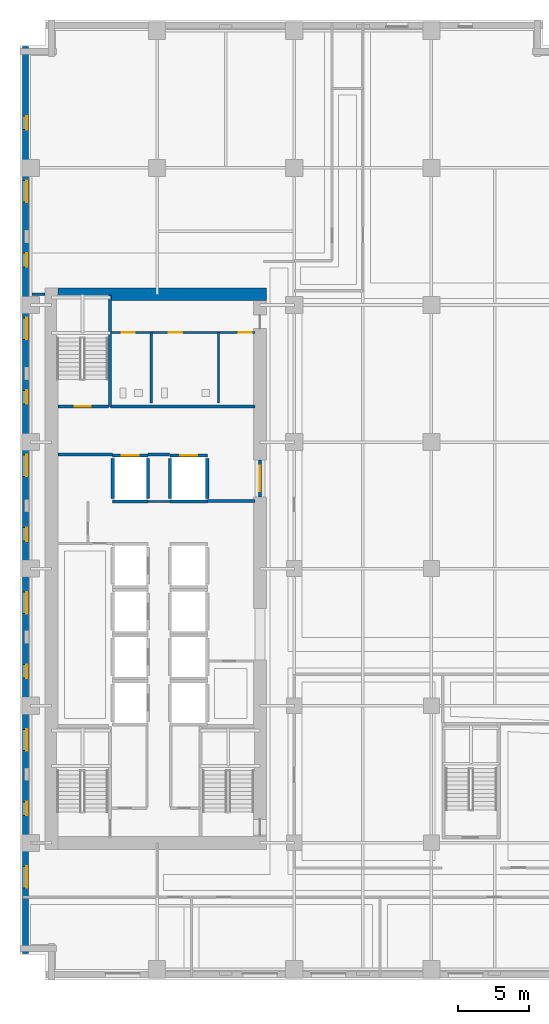
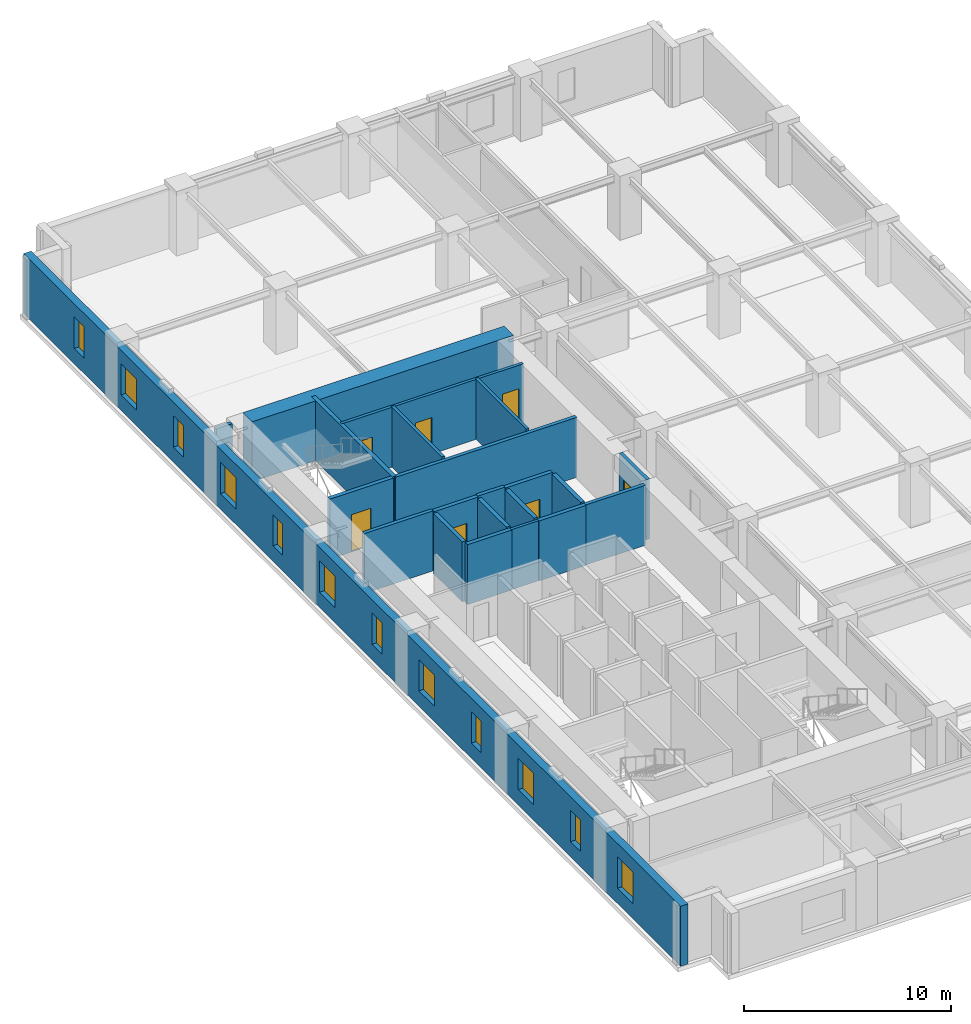
# One storey, part 6 of 13: 22 walls, 12 windows, 7 doors, 19 openings.
"""IFC4 building model written with IfcOpenShell, lengths in metres."""

from ifc_helpers import new_model, si_unit, direction, frame, frame_2d, origin, place, context, subcontext, project, spatial, rectangle, extrude, material, layer, layer_set, type_object, element, fill, save


model = new_model("IFC4")

# Units and contexts
model_context = context("Model", 3, precision=1e-05, world=origin(), true_north=direction((0.0, 1.0)))
body_context = subcontext(model_context, "Body", "Model", "MODEL_VIEW")
ifc_project = project(units=[si_unit("LENGTHUNIT", "METRE"), si_unit("AREAUNIT", "SQUARE_METRE"), si_unit("VOLUMEUNIT", "CUBIC_METRE"), si_unit("PLANEANGLEUNIT", "RADIAN"), si_unit("MASSUNIT", "GRAM", prefix="KILO")], contexts=[model_context])

# Site, building, storey
site_placement = place(None, origin())
site = spatial("IfcSite", under=ifc_project, at=site_placement, CompositionType="ELEMENT")
building_placement = place(site_placement, origin())
building = spatial("IfcBuilding", under=site, at=building_placement, Name="Norrvale University Quadrangle", CompositionType="ELEMENT")
storey_placement = place(building_placement, frame((0.0, 0.0, 35.60009765625)))
storey = spatial("IfcBuildingStorey", under=building, at=storey_placement, Name="L08", CompositionType="ELEMENT", Elevation=35.60009765625)

# Wall, openings, windows
ifc_material_1 = material(Name="Buff Norman Clay Brick Masonry", Category="masonry")
ifc_layer_1 = layer(ifc_material_1, 0.419921875, Name="Buff Norman Clay Brick Masonry")
ifc_layer_set_1 = layer_set([ifc_layer_1], Name="Buff Norman Clay Brick Masonry")
wall_type_1 = type_object("IfcWallType", Name="Wall Buff Brick 420", PredefinedType="SOLIDWALL", material=ifc_layer_set_1)
wall_1_placement = place(storey_placement, frame((0.389892578125, 65.360107421875, 0.0), z_axis=(0.0, 0.0, 1.0), x_axis=(0.0, -1.0, 0.0)))
wall_1 = element("IfcWall", 1, at=wall_1_placement, inside=storey, type_object=wall_type_1, Name="Exterior Brick Facade Wall L08-14.1", PredefinedType="SOLIDWALL", context=body_context, shape_type="SweptSolid", body=[
    extrude(rectangle(XDim=63.52001953125, YDim=0.419921875, at=frame_2d((31.760009765625, 0.0))), origin(), (0.0, 0.0, 1.0), 3.539794921875),
])
opening_1_placement = place(wall_1_placement, frame((4.885009765625, 0.0, 0.89990234375)))
opening_1 = element("IfcOpeningElement", 2, at=opening_1_placement, cuts=wall_1, Name="Opening W04", PredefinedType="OPENING", context=body_context, shape_type="SweptSolid", body=[
    extrude(rectangle(XDim=0.949951171875, YDim=1.85009765625, at=frame_2d((0.47509765625, 0.925048828125))), frame((0.0, 0.221923828125, 0.0), z_axis=(0.0, -1.0, 0.0), x_axis=(1.0, 0.0, 0.0)), (0.0, 0.0, 1.0), 0.44384765625),
])
opening_2_placement = place(wall_1_placement, frame((9.409912109375, 0.0, 0.89990234375)))
opening_2 = element("IfcOpeningElement", 3, at=opening_2_placement, cuts=wall_1, Name="Opening W03", PredefinedType="OPENING", context=body_context, shape_type="SweptSolid", body=[
    extrude(rectangle(XDim=1.5, YDim=1.85009765625, at=frame_2d((0.75, 0.925048828125))), frame((0.0, 0.221923828125, 0.0), z_axis=(0.0, -1.0, 0.0), x_axis=(1.0, 0.0, 0.0)), (0.0, 0.0, 1.0), 0.44384765625),
])
opening_3_placement = place(wall_1_placement, frame((14.485107421875, 0.0, 0.89990234375)))
opening_3 = element("IfcOpeningElement", 4, at=opening_3_placement, cuts=wall_1, Name="Opening W04", PredefinedType="OPENING", context=body_context, shape_type="SweptSolid", body=[
    extrude(rectangle(XDim=0.949951171875, YDim=1.85009765625, at=frame_2d((0.47509765625, 0.925048828125))), frame((0.0, 0.221923828125, 0.0), z_axis=(0.0, -1.0, 0.0), x_axis=(1.0, 0.0, 0.0)), (0.0, 0.0, 1.0), 0.44384765625),
])
opening_4_placement = place(wall_1_placement, frame((19.010009765625, 0.0, 0.89990234375)))
opening_4 = element("IfcOpeningElement", 5, at=opening_4_placement, cuts=wall_1, Name="Opening W03", PredefinedType="OPENING", context=body_context, shape_type="SweptSolid", body=[
    extrude(rectangle(XDim=1.5, YDim=1.85009765625, at=frame_2d((0.75, 0.925048828125))), frame((0.0, 0.221923828125, 0.0), z_axis=(0.0, -1.0, 0.0), x_axis=(1.0, 0.0, 0.0)), (0.0, 0.0, 1.0), 0.44384765625),
])
opening_5_placement = place(wall_1_placement, frame((24.0849609375, 0.0, 0.89990234375)))
opening_5 = element("IfcOpeningElement", 6, at=opening_5_placement, cuts=wall_1, Name="Opening W04", PredefinedType="OPENING", context=body_context, shape_type="SweptSolid", body=[
    extrude(rectangle(XDim=0.949951171875, YDim=1.85009765625, at=frame_2d((0.47509765625, 0.925048828125))), frame((0.0, 0.221923828125, 0.0), z_axis=(0.0, -1.0, 0.0), x_axis=(1.0, 0.0, 0.0)), (0.0, 0.0, 1.0), 0.44384765625),
])
opening_6_placement = place(wall_1_placement, frame((28.610107421875, 0.0, 0.89990234375)))
opening_6 = element("IfcOpeningElement", 7, at=opening_6_placement, cuts=wall_1, Name="Opening W03", PredefinedType="OPENING", context=body_context, shape_type="SweptSolid", body=[
    extrude(rectangle(XDim=1.5, YDim=1.85009765625, at=frame_2d((0.75, 0.925048828125))), frame((0.0, 0.221923828125, 0.0), z_axis=(0.0, -1.0, 0.0), x_axis=(1.0, 0.0, 0.0)), (0.0, 0.0, 1.0), 0.44384765625),
])
opening_7_placement = place(wall_1_placement, frame((33.68505859375, 0.0, 0.89990234375)))
opening_7 = element("IfcOpeningElement", 8, at=opening_7_placement, cuts=wall_1, Name="Opening W04", PredefinedType="OPENING", context=body_context, shape_type="SweptSolid", body=[
    extrude(rectangle(XDim=0.949951171875, YDim=1.85009765625, at=frame_2d((0.47509765625, 0.925048828125))), frame((0.0, 0.221923828125, 0.0), z_axis=(0.0, -1.0, 0.0), x_axis=(1.0, 0.0, 0.0)), (0.0, 0.0, 1.0), 0.44384765625),
])
opening_8_placement = place(wall_1_placement, frame((38.2099609375, 0.0, 0.89990234375)))
opening_8 = element("IfcOpeningElement", 9, at=opening_8_placement, cuts=wall_1, Name="Opening W03", PredefinedType="OPENING", context=body_context, shape_type="SweptSolid", body=[
    extrude(rectangle(XDim=1.5, YDim=1.85009765625, at=frame_2d((0.75, 0.925048828125))), frame((0.0, 0.221923828125, 0.0), z_axis=(0.0, -1.0, 0.0), x_axis=(1.0, 0.0, 0.0)), (0.0, 0.0, 1.0), 0.44384765625),
])
opening_9_placement = place(wall_1_placement, frame((43.284912109375, 0.0, 0.89990234375)))
opening_9 = element("IfcOpeningElement", 10, at=opening_9_placement, cuts=wall_1, Name="Opening W04", PredefinedType="OPENING", context=body_context, shape_type="SweptSolid", body=[
    extrude(rectangle(XDim=0.949951171875, YDim=1.85009765625, at=frame_2d((0.47509765625, 0.925048828125))), frame((0.0, 0.221923828125, 0.0), z_axis=(0.0, -1.0, 0.0), x_axis=(1.0, 0.0, 0.0)), (0.0, 0.0, 1.0), 0.44384765625),
])
opening_10_placement = place(wall_1_placement, frame((47.81005859375, 0.0, 0.89990234375)))
opening_10 = element("IfcOpeningElement", 11, at=opening_10_placement, cuts=wall_1, Name="Opening W03", PredefinedType="OPENING", context=body_context, shape_type="SweptSolid", body=[
    extrude(rectangle(XDim=1.5, YDim=1.85009765625, at=frame_2d((0.75, 0.925048828125))), frame((0.0, 0.221923828125, 0.0), z_axis=(0.0, -1.0, 0.0), x_axis=(1.0, 0.0, 0.0)), (0.0, 0.0, 1.0), 0.44384765625),
])
opening_11_placement = place(wall_1_placement, frame((52.885009765625, 0.0, 0.89990234375)))
opening_11 = element("IfcOpeningElement", 12, at=opening_11_placement, cuts=wall_1, Name="Opening W04", PredefinedType="OPENING", context=body_context, shape_type="SweptSolid", body=[
    extrude(rectangle(XDim=0.949951171875, YDim=1.85009765625, at=frame_2d((0.47509765625, 0.925048828125))), frame((0.0, 0.221923828125, 0.0), z_axis=(0.0, -1.0, 0.0), x_axis=(1.0, 0.0, 0.0)), (0.0, 0.0, 1.0), 0.44384765625),
])
opening_12_placement = place(wall_1_placement, frame((57.409912109375, 0.0, 0.89990234375)))
opening_12 = element("IfcOpeningElement", 13, at=opening_12_placement, cuts=wall_1, Name="Opening W03", PredefinedType="OPENING", context=body_context, shape_type="SweptSolid", body=[
    extrude(rectangle(XDim=1.5, YDim=1.85009765625, at=frame_2d((0.75, 0.925048828125))), frame((0.0, 0.221923828125, 0.0), z_axis=(0.0, -1.0, 0.0), x_axis=(1.0, 0.0, 0.0)), (0.0, 0.0, 1.0), 0.44384765625),
])
ifc_material_2 = material(Name="Triple Low-E Argon Glazing", Category="glass")
window_type_1 = type_object("IfcWindowType", Name="Window Narrow Pier 950x2300", PartitioningType="SINGLE_PANEL", PredefinedType="WINDOW", material=ifc_material_2)
window_1_placement = place(opening_1_placement, origin())
window_1 = element("IfcWindow", 14, at=window_1_placement, inside=storey, type_object=window_type_1, Name="Window Narrow Pier 950x2300 WIN-L08-E14-1-01", OverallHeight=1.85009765625, OverallWidth=0.949951171875, PartitioningType="SINGLE_PANEL", PredefinedType="WINDOW", context=body_context, shape_type="SweptSolid", body=[
    extrude(rectangle(XDim=0.949951171875, YDim=1.85009765625, at=frame_2d((0.47509765625, 0.925048828125))), frame((0.0, 0.110107421875, 0.0), z_axis=(0.0, -1.0, 0.0), x_axis=(1.0, 0.0, 0.0)), (0.0, 0.0, 1.0), 0.06005859375),
])
fill(opening_1, window_1)
window_2_placement = place(opening_3_placement, origin())
window_2 = element("IfcWindow", 15, at=window_2_placement, inside=storey, type_object=window_type_1, Name="Window Narrow Pier 950x2300 WIN-L08-E14-1-03", OverallHeight=1.85009765625, OverallWidth=0.949951171875, PartitioningType="SINGLE_PANEL", PredefinedType="WINDOW", context=body_context, shape_type="SweptSolid", body=[
    extrude(rectangle(XDim=0.949951171875, YDim=1.85009765625, at=frame_2d((0.47509765625, 0.925048828125))), frame((0.0, 0.110107421875, 0.0), z_axis=(0.0, -1.0, 0.0), x_axis=(1.0, 0.0, 0.0)), (0.0, 0.0, 1.0), 0.06005859375),
])
fill(opening_3, window_2)
window_3_placement = place(opening_5_placement, origin())
window_3 = element("IfcWindow", 16, at=window_3_placement, inside=storey, type_object=window_type_1, Name="Window Narrow Pier 950x2300 WIN-L08-E14-1-05", OverallHeight=1.85009765625, OverallWidth=0.949951171875, PartitioningType="SINGLE_PANEL", PredefinedType="WINDOW", context=body_context, shape_type="SweptSolid", body=[
    extrude(rectangle(XDim=0.949951171875, YDim=1.85009765625, at=frame_2d((0.47509765625, 0.925048828125))), frame((0.0, 0.110107421875, 0.0), z_axis=(0.0, -1.0, 0.0), x_axis=(1.0, 0.0, 0.0)), (0.0, 0.0, 1.0), 0.06005859375),
])
fill(opening_5, window_3)
window_4_placement = place(opening_7_placement, origin())
window_4 = element("IfcWindow", 17, at=window_4_placement, inside=storey, type_object=window_type_1, Name="Window Narrow Pier 950x2300 WIN-L08-E14-1-07", OverallHeight=1.85009765625, OverallWidth=0.949951171875, PartitioningType="SINGLE_PANEL", PredefinedType="WINDOW", context=body_context, shape_type="SweptSolid", body=[
    extrude(rectangle(XDim=0.949951171875, YDim=1.85009765625, at=frame_2d((0.47509765625, 0.925048828125))), frame((0.0, 0.110107421875, 0.0), z_axis=(0.0, -1.0, 0.0), x_axis=(1.0, 0.0, 0.0)), (0.0, 0.0, 1.0), 0.06005859375),
])
fill(opening_7, window_4)
window_5_placement = place(opening_9_placement, origin())
window_5 = element("IfcWindow", 18, at=window_5_placement, inside=storey, type_object=window_type_1, Name="Window Narrow Pier 950x2300 WIN-L08-E14-1-09", OverallHeight=1.85009765625, OverallWidth=0.949951171875, PartitioningType="SINGLE_PANEL", PredefinedType="WINDOW", context=body_context, shape_type="SweptSolid", body=[
    extrude(rectangle(XDim=0.949951171875, YDim=1.85009765625, at=frame_2d((0.47509765625, 0.925048828125))), frame((0.0, 0.110107421875, 0.0), z_axis=(0.0, -1.0, 0.0), x_axis=(1.0, 0.0, 0.0)), (0.0, 0.0, 1.0), 0.06005859375),
])
fill(opening_9, window_5)
window_6_placement = place(opening_11_placement, origin())
window_6 = element("IfcWindow", 19, at=window_6_placement, inside=storey, type_object=window_type_1, Name="Window Narrow Pier 950x2300 WIN-L08-E14-1-11", OverallHeight=1.85009765625, OverallWidth=0.949951171875, PartitioningType="SINGLE_PANEL", PredefinedType="WINDOW", context=body_context, shape_type="SweptSolid", body=[
    extrude(rectangle(XDim=0.949951171875, YDim=1.85009765625, at=frame_2d((0.47509765625, 0.925048828125))), frame((0.0, 0.110107421875, 0.0), z_axis=(0.0, -1.0, 0.0), x_axis=(1.0, 0.0, 0.0)), (0.0, 0.0, 1.0), 0.06005859375),
])
fill(opening_11, window_6)
window_type_2 = type_object("IfcWindowType", Name="Window Studio 1500x2300", PartitioningType="DOUBLE_PANEL_VERTICAL", PredefinedType="WINDOW", material=ifc_material_2)
window_7_placement = place(opening_2_placement, origin())
window_7 = element("IfcWindow", 20, at=window_7_placement, inside=storey, type_object=window_type_2, Name="Window Studio 1500x2300 WIN-L08-E14-1-02", OverallHeight=1.85009765625, OverallWidth=1.5, PartitioningType="DOUBLE_PANEL_VERTICAL", PredefinedType="WINDOW", context=body_context, shape_type="SweptSolid", body=[
    extrude(rectangle(XDim=1.5, YDim=1.85009765625, at=frame_2d((0.75, 0.925048828125))), frame((0.0, 0.110107421875, 0.0), z_axis=(0.0, -1.0, 0.0), x_axis=(1.0, 0.0, 0.0)), (0.0, 0.0, 1.0), 0.06005859375),
])
fill(opening_2, window_7)
window_8_placement = place(opening_4_placement, origin())
window_8 = element("IfcWindow", 21, at=window_8_placement, inside=storey, type_object=window_type_2, Name="Window Studio 1500x2300 WIN-L08-E14-1-04", OverallHeight=1.85009765625, OverallWidth=1.5, PartitioningType="DOUBLE_PANEL_VERTICAL", PredefinedType="WINDOW", context=body_context, shape_type="SweptSolid", body=[
    extrude(rectangle(XDim=1.5, YDim=1.85009765625, at=frame_2d((0.75, 0.925048828125))), frame((0.0, 0.110107421875, 0.0), z_axis=(0.0, -1.0, 0.0), x_axis=(1.0, 0.0, 0.0)), (0.0, 0.0, 1.0), 0.06005859375),
])
fill(opening_4, window_8)
window_9_placement = place(opening_6_placement, origin())
window_9 = element("IfcWindow", 22, at=window_9_placement, inside=storey, type_object=window_type_2, Name="Window Studio 1500x2300 WIN-L08-E14-1-06", OverallHeight=1.85009765625, OverallWidth=1.5, PartitioningType="DOUBLE_PANEL_VERTICAL", PredefinedType="WINDOW", context=body_context, shape_type="SweptSolid", body=[
    extrude(rectangle(XDim=1.5, YDim=1.85009765625, at=frame_2d((0.75, 0.925048828125))), frame((0.0, 0.110107421875, 0.0), z_axis=(0.0, -1.0, 0.0), x_axis=(1.0, 0.0, 0.0)), (0.0, 0.0, 1.0), 0.06005859375),
])
fill(opening_6, window_9)
window_10_placement = place(opening_8_placement, origin())
window_10 = element("IfcWindow", 23, at=window_10_placement, inside=storey, type_object=window_type_2, Name="Window Studio 1500x2300 WIN-L08-E14-1-08", OverallHeight=1.85009765625, OverallWidth=1.5, PartitioningType="DOUBLE_PANEL_VERTICAL", PredefinedType="WINDOW", context=body_context, shape_type="SweptSolid", body=[
    extrude(rectangle(XDim=1.5, YDim=1.85009765625, at=frame_2d((0.75, 0.925048828125))), frame((0.0, 0.110107421875, 0.0), z_axis=(0.0, -1.0, 0.0), x_axis=(1.0, 0.0, 0.0)), (0.0, 0.0, 1.0), 0.06005859375),
])
fill(opening_8, window_10)
window_11_placement = place(opening_10_placement, origin())
window_11 = element("IfcWindow", 24, at=window_11_placement, inside=storey, type_object=window_type_2, Name="Window Studio 1500x2300 WIN-L08-E14-1-10", OverallHeight=1.85009765625, OverallWidth=1.5, PartitioningType="DOUBLE_PANEL_VERTICAL", PredefinedType="WINDOW", context=body_context, shape_type="SweptSolid", body=[
    extrude(rectangle(XDim=1.5, YDim=1.85009765625, at=frame_2d((0.75, 0.925048828125))), frame((0.0, 0.110107421875, 0.0), z_axis=(0.0, -1.0, 0.0), x_axis=(1.0, 0.0, 0.0)), (0.0, 0.0, 1.0), 0.06005859375),
])
fill(opening_10, window_11)
window_12_placement = place(opening_12_placement, origin())
window_12 = element("IfcWindow", 25, at=window_12_placement, inside=storey, type_object=window_type_2, Name="Window Studio 1500x2300 WIN-L08-E14-1-12", OverallHeight=1.85009765625, OverallWidth=1.5, PartitioningType="DOUBLE_PANEL_VERTICAL", PredefinedType="WINDOW", context=body_context, shape_type="SweptSolid", body=[
    extrude(rectangle(XDim=1.5, YDim=1.85009765625, at=frame_2d((0.75, 0.925048828125))), frame((0.0, 0.110107421875, 0.0), z_axis=(0.0, -1.0, 0.0), x_axis=(1.0, 0.0, 0.0)), (0.0, 0.0, 1.0), 0.06005859375),
])
fill(opening_12, window_12)

# Walls
ifc_material_3 = material(Name="Concrete C80/95", Category="concrete")
ifc_layer_2 = layer(ifc_material_3, 0.89990234375, Name="Concrete C80/95")
ifc_layer_set_2 = layer_set([ifc_layer_2], Name="Concrete C80/95")
wall_type_2 = type_object("IfcWallType", Name="Wall Core 900", PredefinedType="SHEAR", material=ifc_layer_set_2)
wall_2_placement = place(storey_placement, frame((2.64990234375, 48.0, 0.0), z_axis=(0.0, 0.0, 1.0), x_axis=(1.0, 0.0, 0.0)))
element("IfcWall", 26, at=wall_2_placement, inside=storey, type_object=wall_type_2, Name="Tower Core Shear Wall L08-N", PredefinedType="SHEAR", context=body_context, shape_type="SweptSolid", body=[
    extrude(rectangle(XDim=14.60009765625, YDim=0.89990234375, at=frame_2d((7.300048828125, 0.0))), origin(), (0.0, 0.0, 1.0), 3.539794921875),
])
ifc_material_4 = material(Name="Fire-Rated Gypsum Stud Partition")
ifc_layer_3 = layer(ifc_material_4, 0.14990234375, Name="Fire-Rated Gypsum Stud Partition")
ifc_layer_set_3 = layer_set([ifc_layer_3], Name="Fire-Rated Gypsum Stud Partition")
wall_type_3 = type_object("IfcWallType", Name="Wall Gypsum Corridor 150", PredefinedType="PARTITIONING", material=ifc_layer_set_3)
wall_3_placement = place(storey_placement, frame((8.965087890625, 33.489990234375, 0.0), z_axis=(0.0, 0.0, 1.0), x_axis=(1.0, 0.0, 0.0)))
element("IfcWall", 27, at=wall_3_placement, inside=storey, type_object=wall_type_3, Name="Interior Partition WL-L08-LL3", PredefinedType="PARTITIONING", context=body_context, shape_type="SweptSolid", body=[
    extrude(rectangle(XDim=1.52001953125, YDim=0.14990234375, at=frame_2d((0.760009765625, 0.0))), origin(), (0.0, 0.0, 1.0), 3.539794921875),
])

# Wall, openings, doors
ifc_material_5 = material(Name="Sanitary Chase Gypsum Partition")
ifc_layer_4 = layer(ifc_material_5, 0.1650390625, Name="Sanitary Chase Gypsum Partition")
ifc_layer_set_4 = layer_set([ifc_layer_4], Name="Sanitary Chase Gypsum Partition")
wall_type_4 = type_object("IfcWallType", Name="Wall Gypsum Sanitary 165", PredefinedType="PLUMBINGWALL", material=ifc_layer_set_4)
wall_4_placement = place(storey_placement, frame((6.320068359375, 45.320068359375, 0.0), z_axis=(0.0, 0.0, 1.0), x_axis=(1.0, 0.0, 0.0)))
wall_4 = element("IfcWall", 28, at=wall_4_placement, inside=storey, type_object=wall_type_4, Name="Interior Partition WL-L08-WCN", PredefinedType="PLUMBINGWALL", context=body_context, shape_type="SweptSolid", body=[
    extrude(rectangle(XDim=10.1298828125, YDim=0.1650390625, at=frame_2d((5.06494140625, 0.0))), origin(), (0.0, 0.0, 1.0), 3.539794921875),
])
opening_13_placement = place(wall_4_placement, frame((0.800048828125, 0.0, 0.0)))
opening_13 = element("IfcOpeningElement", 29, at=opening_13_placement, cuts=wall_4, Name="Opening D08", PredefinedType="OPENING", context=body_context, shape_type="SweptSolid", body=[
    extrude(rectangle(XDim=0.919921875, YDim=2.14990234375, at=frame_2d((0.4599609375, 1.074951171875))), frame((0.0, 0.094482421875, 0.0), z_axis=(0.0, -1.0, 0.0), x_axis=(1.0, 0.0, 0.0)), (0.0, 0.0, 1.0), 0.18896484375),
])
opening_14_placement = place(wall_4_placement, frame((4.10009765625, 0.0, 0.0)))
opening_14 = element("IfcOpeningElement", 30, at=opening_14_placement, cuts=wall_4, Name="Opening D08", PredefinedType="OPENING", context=body_context, shape_type="SweptSolid", body=[
    extrude(rectangle(XDim=0.919921875, YDim=2.14990234375, at=frame_2d((0.4599609375, 1.074951171875))), frame((0.0, 0.094482421875, 0.0), z_axis=(0.0, -1.0, 0.0), x_axis=(1.0, 0.0, 0.0)), (0.0, 0.0, 1.0), 0.18896484375),
])
opening_15_placement = place(wall_4_placement, frame((8.97998046875, 0.0, 0.0)))
opening_15 = element("IfcOpeningElement", 31, at=opening_15_placement, cuts=wall_4, Name="Opening D08", PredefinedType="OPENING", context=body_context, shape_type="SweptSolid", body=[
    extrude(rectangle(XDim=0.919921875, YDim=2.14990234375, at=frame_2d((0.4599609375, 1.074951171875))), frame((0.0, 0.094482421875, 0.0), z_axis=(0.0, -1.0, 0.0), x_axis=(1.0, 0.0, 0.0)), (0.0, 0.0, 1.0), 0.18896484375),
])
ifc_material_6 = material(Name="Laminate Washroom Door", Category="wood")
door_type_1 = type_object("IfcDoorType", Name="Door Washroom 920x2150", OperationType="NOTDEFINED", PredefinedType="DOOR", material=ifc_material_6)
door_1_placement = place(opening_13_placement, origin())
door_1 = element("IfcDoor", 32, at=door_1_placement, inside=storey, type_object=door_type_1, Name="Door Washroom 920x2150 DR-L08-WC1", OperationType="SINGLE_SWING_LEFT", OverallHeight=2.14990234375, OverallWidth=0.919921875, PredefinedType="DOOR", context=body_context, shape_type="SweptSolid", body=[
    extrude(rectangle(XDim=0.919921875, YDim=2.14990234375, at=frame_2d((0.4599609375, 1.074951171875))), frame((0.0, 0.02490234375, 0.0), z_axis=(0.0, -1.0, 0.0), x_axis=(1.0, 0.0, 0.0)), (0.0, 0.0, 1.0), 0.050048828125),
])
fill(opening_13, door_1)
door_2_placement = place(opening_14_placement, origin())
door_2 = element("IfcDoor", 33, at=door_2_placement, inside=storey, type_object=door_type_1, Name="Door Washroom 920x2150 DR-L08-WC2", OperationType="SINGLE_SWING_RIGHT", OverallHeight=2.14990234375, OverallWidth=0.919921875, PredefinedType="DOOR", context=body_context, shape_type="SweptSolid", body=[
    extrude(rectangle(XDim=0.919921875, YDim=2.14990234375, at=frame_2d((0.4599609375, 1.074951171875))), frame((0.0, 0.02490234375, 0.0), z_axis=(0.0, -1.0, 0.0), x_axis=(1.0, 0.0, 0.0)), (0.0, 0.0, 1.0), 0.050048828125),
])
fill(opening_14, door_2)
door_3_placement = place(opening_15_placement, origin())
door_3 = element("IfcDoor", 34, at=door_3_placement, inside=storey, type_object=door_type_1, Name="Door Washroom 920x2150 DR-L08-WC3", OperationType="SINGLE_SWING_LEFT", OverallHeight=2.14990234375, OverallWidth=0.919921875, PredefinedType="DOOR", context=body_context, shape_type="SweptSolid", body=[
    extrude(rectangle(XDim=0.919921875, YDim=2.14990234375, at=frame_2d((0.4599609375, 1.074951171875))), frame((0.0, 0.02490234375, 0.0), z_axis=(0.0, -1.0, 0.0), x_axis=(1.0, 0.0, 0.0)), (0.0, 0.0, 1.0), 0.050048828125),
])
fill(opening_15, door_3)

# Walls
for number, where, z_axis, x_axis, name in (
    (35, (9.199951171875, 40.39990234375, 0.0), (0.0, 0.0, 1.0), (0.0, 1.0, 0.0), "Interior Partition WL-L08-WCM1"),
    (36, (13.89990234375, 40.39990234375, 0.0), (0.0, 0.0, 1.0), (0.0, 1.0, 0.0), "Interior Partition WL-L08-WCM2"),
):
    element("IfcWall", number, at=place(storey_placement, frame(where, z_axis=z_axis, x_axis=x_axis)), inside=storey, type_object=wall_type_4, Name=name, PredefinedType="PLUMBINGWALL", context=body_context, shape_type="SweptSolid", body=[
        extrude(rectangle(XDim=4.920166015625, YDim=0.1650390625, at=frame_2d((2.4599609375, 0.0))), origin(), (0.0, 0.0, 1.0), 3.539794921875),
    ])
ifc_material_7 = material(Name="Concrete Blockwork 20 MPa Rated Wall", Category="masonry")
ifc_layer_5 = layer(ifc_material_7, 0.199951171875, Name="Concrete Blockwork 20 MPa Rated Wall")
ifc_layer_set_5 = layer_set([ifc_layer_5], Name="Concrete Blockwork 20 MPa Rated Wall")
wall_type_5 = type_object("IfcWallType", Name="Wall Lobby 200", PredefinedType="SOLIDWALL", material=ifc_layer_set_5)
wall_5_placement = place(storey_placement, frame((2.64990234375, 36.780029296875, 0.0), z_axis=(0.0, 0.0, 1.0), x_axis=(1.0, 0.0, 0.0)))
element("IfcWall", 37, at=wall_5_placement, inside=storey, type_object=wall_type_5, Name="Interior Partition WL-L08-FF1", PredefinedType="SOLIDWALL", context=body_context, shape_type="SweptSolid", body=[
    extrude(rectangle(XDim=3.830078125, YDim=0.199951171875, at=frame_2d((1.9150390625, 0.0))), origin(), (0.0, 0.0, 1.0), 3.539794921875),
])
wall_6_placement = place(storey_placement, frame((8.969970703125, 36.780029296875, 0.0), z_axis=(0.0, 0.0, 1.0), x_axis=(1.0, 0.0, 0.0)))
element("IfcWall", 38, at=wall_6_placement, inside=storey, type_object=wall_type_5, Name="Interior Partition WL-L08-FF2", PredefinedType="SOLIDWALL", context=body_context, shape_type="SweptSolid", body=[
    extrude(rectangle(XDim=1.510009765625, YDim=0.199951171875, at=frame_2d((0.7548828125, 0.0))), origin(), (0.0, 0.0, 1.0), 3.539794921875),
])
wall_7_placement = place(storey_placement, frame((13.1201171875, 33.52001953125, 0.0), z_axis=(0.0, 0.0, 1.0), x_axis=(1.0, 0.0, 0.0)))
element("IfcWall", 39, at=wall_7_placement, inside=storey, type_object=wall_type_5, Name="Interior Partition WL-L08-FF3", PredefinedType="SOLIDWALL", context=body_context, shape_type="SweptSolid", body=[
    extrude(rectangle(XDim=3.329833984375, YDim=0.199951171875, at=frame_2d((1.6650390625, 0.0))), origin(), (0.0, 0.0, 1.0), 3.539794921875),
])
wall_8_placement = place(storey_placement, frame((6.320068359375, 40.139892578125, 0.0), z_axis=(0.0, 0.0, 1.0), x_axis=(1.0, 0.0, 0.0)))
element("IfcWall", 40, at=wall_8_placement, inside=storey, type_object=wall_type_5, Name="Interior Partition WL-L08-FF4", PredefinedType="SOLIDWALL", context=body_context, shape_type="SweptSolid", body=[
    extrude(rectangle(XDim=10.1298828125, YDim=0.199951171875, at=frame_2d((5.06494140625, 0.0))), origin(), (0.0, 0.0, 1.0), 3.539794921875),
])

# Wall, opening, door
wall_9_placement = place(storey_placement, frame((16.800048828125, 33.800048828125, 0.0), z_axis=(0.0, 0.0, 1.0), x_axis=(0.0, 1.0, 0.0)))
wall_9 = element("IfcWall", 41, at=wall_9_placement, inside=storey, type_object=wall_type_5, Name="Interior Partition WL-L08-FFP", PredefinedType="SOLIDWALL", context=body_context, shape_type="SweptSolid", body=[
    extrude(rectangle(XDim=2.599853515625, YDim=0.199951171875, at=frame_2d((1.2998046875, 0.0))), origin(), (0.0, 0.0, 1.0), 3.539794921875),
])
opening_16_placement = place(wall_9_placement, frame((0.39990234375, 0.0, 0.0)))
opening_16 = element("IfcOpeningElement", 42, at=opening_16_placement, cuts=wall_9, Name="Opening D03", PredefinedType="OPENING", context=body_context, shape_type="SweptSolid", body=[
    extrude(rectangle(XDim=1.800048828125, YDim=2.199951171875, at=frame_2d((0.89990234375, 1.10009765625))), frame((0.0, 0.112060546875, 0.0), z_axis=(0.0, -1.0, 0.0), x_axis=(1.0, 0.0, 0.0)), (0.0, 0.0, 1.0), 0.223876953125),
])
ifc_material_8 = material(Name="Hollow Steel 350W Fire Door", Category="steel")
door_type_2 = type_object("IfcDoorType", Name="Door Fire Lobby 1800x2200", OperationType="DOUBLE_DOOR_SINGLE_SWING", PredefinedType="DOOR", material=ifc_material_8)
door_4_placement = place(opening_16_placement, origin())
door_4 = element("IfcDoor", 43, at=door_4_placement, inside=storey, type_object=door_type_2, Name="Door Fire Lobby 1800x2200 DR-L08-FFP", OperationType="DOUBLE_DOOR_SINGLE_SWING", OverallHeight=2.199951171875, OverallWidth=1.800048828125, PredefinedType="DOOR", context=body_context, shape_type="SweptSolid", body=[
    extrude(rectangle(XDim=1.800048828125, YDim=2.199951171875, at=frame_2d((0.89990234375, 1.10009765625))), frame((0.0, 0.02490234375, 0.0), z_axis=(0.0, -1.0, 0.0), x_axis=(1.0, 0.0, 0.0)), (0.0, 0.0, 1.0), 0.050048828125),
])
fill(opening_16, door_4)

# Wall
wall_10_placement = place(storey_placement, frame((0.85009765625, 48.0, 0.0), z_axis=(0.0, 0.0, 1.0), x_axis=(1.0, 0.0, 0.0)))
element("IfcWall", 44, at=wall_10_placement, inside=storey, type_object=wall_type_5, Name="Interior Partition WL-L08-CWRET-N", PredefinedType="SOLIDWALL", context=body_context, shape_type="SweptSolid", body=[
    extrude(rectangle(XDim=0.89501953125, YDim=0.199951171875, at=frame_2d((0.447509765625, 0.0))), origin(), (0.0, 0.0, 1.0), 3.539794921875),
])

# Wall, opening, door
ifc_material_9 = material(Name="Concrete Blockwork 20 MPa Fire Shaft", Category="masonry")
ifc_layer_6 = layer(ifc_material_9, 0.219970703125, Name="Concrete Blockwork 20 MPa Fire Shaft")
ifc_layer_set_6 = layer_set([ifc_layer_6], Name="Concrete Blockwork 20 MPa Fire Shaft")
wall_type_6 = type_object("IfcWallType", Name="Wall Shaft 220", PredefinedType="SOLIDWALL", material=ifc_layer_set_6)
wall_11_placement = place(storey_placement, frame((2.64990234375, 40.139892578125, 0.0), z_axis=(0.0, 0.0, 1.0), x_axis=(1.0, 0.0, 0.0)))
wall_11 = element("IfcWall", 45, at=wall_11_placement, inside=storey, type_object=wall_type_6, Name="Stair ST-02 South Shaft Wall L08", PredefinedType="SOLIDWALL", context=body_context, shape_type="SweptSolid", body=[
    extrude(rectangle(XDim=3.550048828125, YDim=0.219970703125, at=frame_2d((1.77490234375, 0.0))), origin(), (0.0, 0.0, 1.0), 3.539794921875),
])
opening_17_placement = place(wall_11_placement, frame((1.199951171875, 0.0, 0.0)))
opening_17 = element("IfcOpeningElement", 46, at=opening_17_placement, cuts=wall_11, Name="Opening D02", PredefinedType="OPENING", context=body_context, shape_type="SweptSolid", body=[
    extrude(rectangle(XDim=1.10009765625, YDim=2.199951171875, at=frame_2d((0.550048828125, 1.10009765625))), frame((0.0, 0.1220703125, 0.0), z_axis=(0.0, -1.0, 0.0), x_axis=(1.0, 0.0, 0.0)), (0.0, 0.0, 1.0), 0.243896484375),
])
door_type_3 = type_object("IfcDoorType", Name="Door Stair Exit 1100x2200", OperationType="NOTDEFINED", PredefinedType="DOOR", material=ifc_material_8)
door_5_placement = place(opening_17_placement, origin())
door_5 = element("IfcDoor", 47, at=door_5_placement, inside=storey, type_object=door_type_3, Name="Door Stair Exit 1100x2200 DR-L08-ST02", OperationType="SINGLE_SWING_LEFT", OverallHeight=2.199951171875, OverallWidth=1.10009765625, PredefinedType="DOOR", context=body_context, shape_type="SweptSolid", body=[
    extrude(rectangle(XDim=1.10009765625, YDim=2.199951171875, at=frame_2d((0.550048828125, 1.10009765625))), frame((0.0, 0.02490234375, 0.0), z_axis=(0.0, -1.0, 0.0), x_axis=(1.0, 0.0, 0.0)), (0.0, 0.0, 1.0), 0.050048828125),
])
fill(opening_17, door_5)

# Walls
wall_12_placement = place(storey_placement, frame((6.31005859375, 40.139892578125, 0.0), z_axis=(0.0, 0.0, 1.0), x_axis=(0.0, 1.0, 0.0)))
element("IfcWall", 48, at=wall_12_placement, inside=storey, type_object=wall_type_6, Name="Stair ST-02 East Shaft Wall L08", PredefinedType="SOLIDWALL", context=body_context, shape_type="SweptSolid", body=[
    extrude(rectangle(XDim=7.81005859375, YDim=0.219970703125, at=frame_2d((3.905029296875, 0.0))), origin(), (0.0, 0.0, 1.0), 3.539794921875),
])
for number, where, z_axis, x_axis, name in (
    (49, (6.489990234375, 33.7099609375, 0.0), (0.0, 0.0, 1.0), (0.0, 1.0, 0.0), "Hoistway FFL-01 West Wall L08"),
    (50, (8.9599609375, 33.7099609375, 0.0), (0.0, 0.0, 1.0), (0.0, 1.0, 0.0), "Hoistway FFL-01 East Wall L08"),
):
    element("IfcWall", number, at=place(storey_placement, frame(where, z_axis=z_axis, x_axis=x_axis)), inside=storey, type_object=wall_type_6, Name=name, PredefinedType="SOLIDWALL", context=body_context, shape_type="SweptSolid", body=[
        extrude(rectangle(XDim=2.780029296875, YDim=0.219970703125, at=frame_2d((1.39013671875, 0.0))), origin(), (0.0, 0.0, 1.0), 3.539794921875),
    ])
wall_13_placement = place(storey_placement, frame((6.489990234375, 33.489990234375, 0.0), z_axis=(0.0, 0.0, 1.0), x_axis=(1.0, 0.0, 0.0)))
element("IfcWall", 51, at=wall_13_placement, inside=storey, type_object=wall_type_6, Name="Hoistway FFL-01 South Wall L08", PredefinedType="SOLIDWALL", context=body_context, shape_type="SweptSolid", body=[
    extrude(rectangle(XDim=2.469970703125, YDim=0.219970703125, at=frame_2d((1.23486328125, 0.0))), origin(), (0.0, 0.0, 1.0), 3.539794921875),
])

# Wall, opening, door
wall_14_placement = place(storey_placement, frame((6.489990234375, 36.7099609375, 0.0), z_axis=(0.0, 0.0, 1.0), x_axis=(1.0, 0.0, 0.0)))
wall_14 = element("IfcWall", 52, at=wall_14_placement, inside=storey, type_object=wall_type_6, Name="Hoistway FFL-01 North Wall L08", PredefinedType="SOLIDWALL", context=body_context, shape_type="SweptSolid", body=[
    extrude(rectangle(XDim=2.469970703125, YDim=0.219970703125, at=frame_2d((1.23486328125, 0.0))), origin(), (0.0, 0.0, 1.0), 3.539794921875),
])
opening_18_placement = place(wall_14_placement, frame((0.635009765625, 0.0, 0.0)))
opening_18 = element("IfcOpeningElement", 53, at=opening_18_placement, cuts=wall_14, Name="Opening LD2", PredefinedType="OPENING", context=body_context, shape_type="SweptSolid", body=[
    extrude(rectangle(XDim=1.199951171875, YDim=2.199951171875, at=frame_2d((0.60009765625, 1.10009765625))), frame((0.0, 0.1220703125, 0.0), z_axis=(0.0, -1.0, 0.0), x_axis=(1.0, 0.0, 0.0)), (0.0, 0.0, 1.0), 0.243896484375),
])
ifc_material_10 = material(Name="Stainless Steel 316L Firefighter Lift Door", Category="steel")
door_type_4 = type_object("IfcDoorType", Name="Door Fire Lift 1200x2200", OperationType="DOUBLE_DOOR_SLIDING", PredefinedType="DOOR", material=ifc_material_10)
door_6_placement = place(opening_18_placement, origin())
door_6 = element("IfcDoor", 54, at=door_6_placement, inside=storey, type_object=door_type_4, Name="Elevator Landing Door DR-L08-FFL-01", OperationType="DOUBLE_DOOR_SLIDING", OverallHeight=2.199951171875, OverallWidth=1.199951171875, PredefinedType="DOOR", context=body_context, shape_type="SweptSolid", body=[
    extrude(rectangle(XDim=1.199951171875, YDim=2.199951171875, at=frame_2d((0.60009765625, 1.10009765625))), frame((0.0, 0.02490234375, 0.0), z_axis=(0.0, -1.0, 0.0), x_axis=(1.0, 0.0, 0.0)), (0.0, 0.0, 1.0), 0.050048828125),
])
fill(opening_18, door_6)

# Walls
for number, where, z_axis, x_axis, name in (
    (55, (10.489990234375, 33.7099609375, 0.0), (0.0, 0.0, 1.0), (0.0, 1.0, 0.0), "Hoistway FFL-02 West Wall L08"),
    (56, (13.110107421875, 33.7099609375, 0.0), (0.0, 0.0, 1.0), (0.0, 1.0, 0.0), "Hoistway FFL-02 East Wall L08"),
):
    element("IfcWall", number, at=place(storey_placement, frame(where, z_axis=z_axis, x_axis=x_axis)), inside=storey, type_object=wall_type_6, Name=name, PredefinedType="SOLIDWALL", context=body_context, shape_type="SweptSolid", body=[
        extrude(rectangle(XDim=2.780029296875, YDim=0.219970703125, at=frame_2d((1.39013671875, 0.0))), origin(), (0.0, 0.0, 1.0), 3.539794921875),
    ])
wall_15_placement = place(storey_placement, frame((10.489990234375, 33.489990234375, 0.0), z_axis=(0.0, 0.0, 1.0), x_axis=(1.0, 0.0, 0.0)))
element("IfcWall", 57, at=wall_15_placement, inside=storey, type_object=wall_type_6, Name="Hoistway FFL-02 South Wall L08", PredefinedType="SOLIDWALL", context=body_context, shape_type="SweptSolid", body=[
    extrude(rectangle(XDim=2.6201171875, YDim=0.219970703125, at=frame_2d((1.31005859375, 0.0))), origin(), (0.0, 0.0, 1.0), 3.539794921875),
])

# Wall, opening, door
wall_16_placement = place(storey_placement, frame((10.489990234375, 36.7099609375, 0.0), z_axis=(0.0, 0.0, 1.0), x_axis=(1.0, 0.0, 0.0)))
wall_16 = element("IfcWall", 58, at=wall_16_placement, inside=storey, type_object=wall_type_6, Name="Hoistway FFL-02 North Wall L08", PredefinedType="SOLIDWALL", context=body_context, shape_type="SweptSolid", body=[
    extrude(rectangle(XDim=2.6201171875, YDim=0.219970703125, at=frame_2d((1.31005859375, 0.0))), origin(), (0.0, 0.0, 1.0), 3.539794921875),
])
opening_19_placement = place(wall_16_placement, frame((0.7099609375, 0.0, 0.0)))
opening_19 = element("IfcOpeningElement", 59, at=opening_19_placement, cuts=wall_16, Name="Opening LD2", PredefinedType="OPENING", context=body_context, shape_type="SweptSolid", body=[
    extrude(rectangle(XDim=1.199951171875, YDim=2.199951171875, at=frame_2d((0.60009765625, 1.10009765625))), frame((0.0, 0.1220703125, 0.0), z_axis=(0.0, -1.0, 0.0), x_axis=(1.0, 0.0, 0.0)), (0.0, 0.0, 1.0), 0.243896484375),
])
door_7_placement = place(opening_19_placement, origin())
door_7 = element("IfcDoor", 60, at=door_7_placement, inside=storey, type_object=door_type_4, Name="Elevator Landing Door DR-L08-FFL-02", OperationType="DOUBLE_DOOR_SLIDING", OverallHeight=2.199951171875, OverallWidth=1.199951171875, PredefinedType="DOOR", context=body_context, shape_type="SweptSolid", body=[
    extrude(rectangle(XDim=1.199951171875, YDim=2.199951171875, at=frame_2d((0.60009765625, 1.10009765625))), frame((0.0, 0.02490234375, 0.0), z_axis=(0.0, -1.0, 0.0), x_axis=(1.0, 0.0, 0.0)), (0.0, 0.0, 1.0), 0.050048828125),
])
fill(opening_19, door_7)

save(model, "model.ifc")
